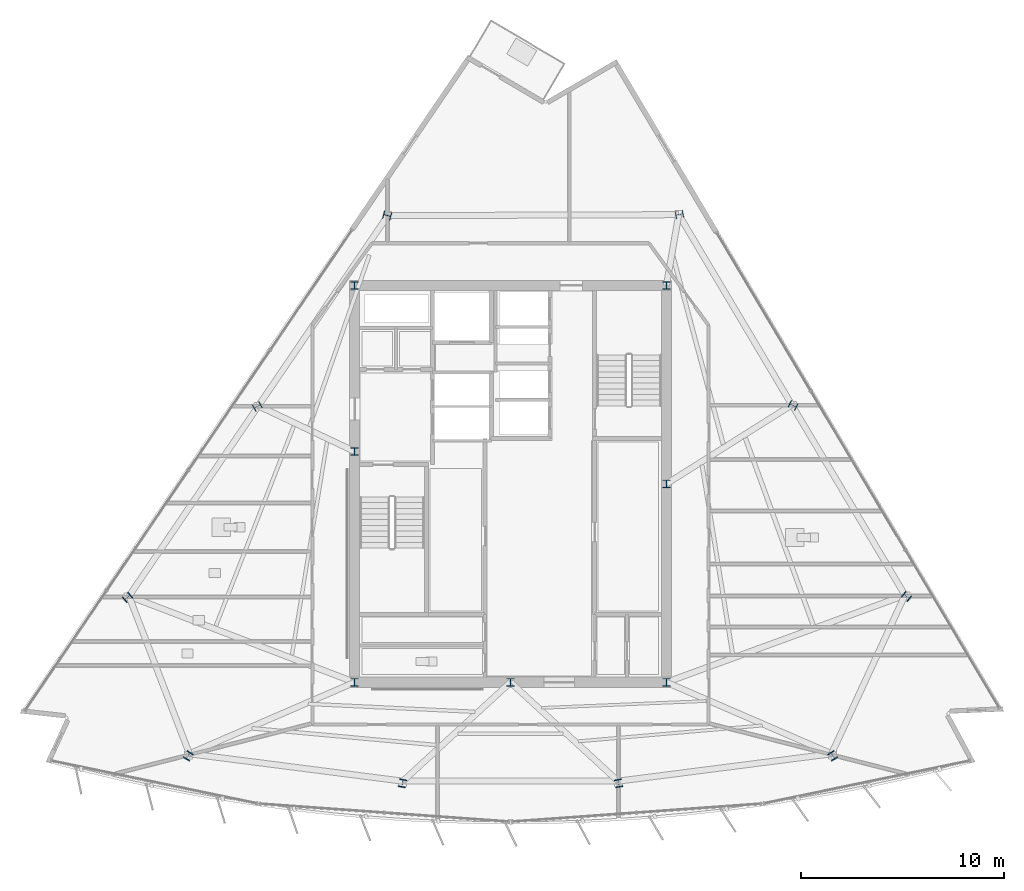
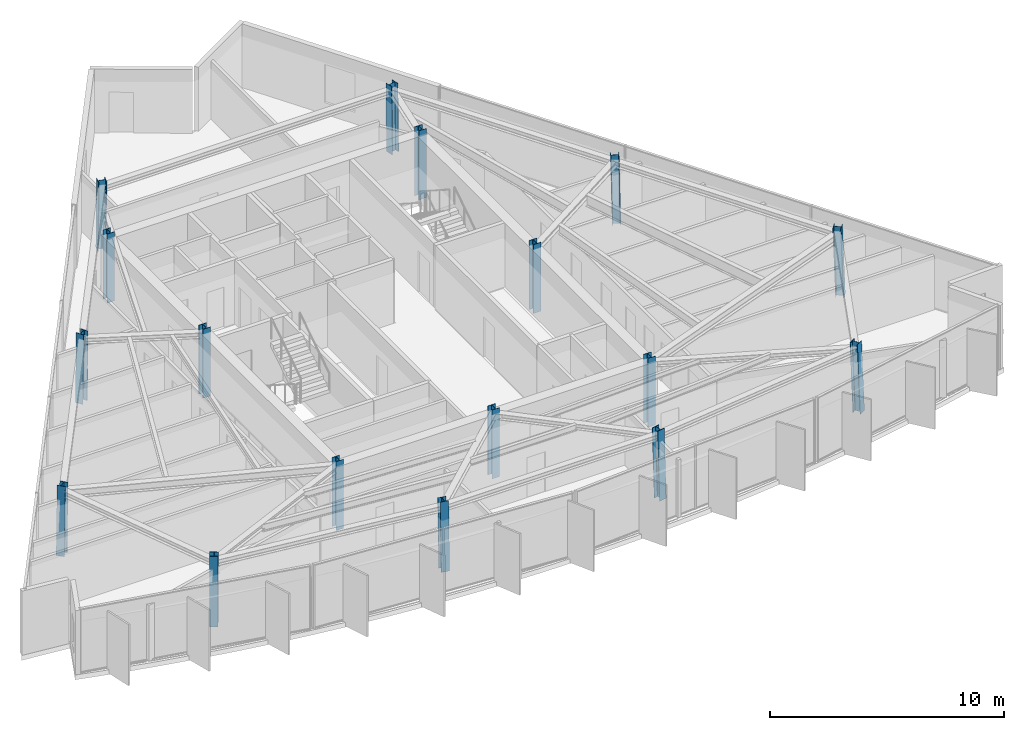
# One storey, part 1 of 13: 17 columns.
"""IFC4 building model written with IfcOpenShell, lengths in metres."""

from ifc_helpers import new_model, si_unit, direction, frame, origin, origin_2d, place, context, subcontext, project, spatial, i_section, extrude, material, material_profile, profile_set, type_object, element, save


model = new_model("IFC4")

# Units and contexts
model_context = context("Model", 3, precision=1e-05, world=origin(), true_north=direction((0.0, 1.0)))
body_context = subcontext(model_context, "Body", "Model", "MODEL_VIEW")
ifc_project = project(units=[si_unit("LENGTHUNIT", "METRE"), si_unit("AREAUNIT", "SQUARE_METRE"), si_unit("VOLUMEUNIT", "CUBIC_METRE"), si_unit("PLANEANGLEUNIT", "RADIAN"), si_unit("MASSUNIT", "GRAM", prefix="KILO")], contexts=[model_context])

# Site, building, storey
site_placement = place(None, origin())
site = spatial("IfcSite", under=ifc_project, at=site_placement, CompositionType="ELEMENT")
building_placement = place(site_placement, origin())
building = spatial("IfcBuilding", under=site, at=building_placement, Name="Savorim Split Tower", CompositionType="ELEMENT")
storey_placement = place(building_placement, frame((0.0, 0.0, 250.800048828125)))
storey = spatial("IfcBuildingStorey", under=building, at=storey_placement, Name="L66", CompositionType="ELEMENT", Elevation=250.800048828125)

# Columns
ifc_material = material(Name="Steel S355", Category="steel")
ifc_material_profile = material_profile(ifc_material, i_section(OverallWidth=0.3740234375, OverallDepth=0.3720703125, WebThickness=0.01220703125, FlangeThickness=0.02001953125, FilletRadius=0.014892578125, at=origin_2d()), Name="HD 360x196")
ifc_profile_set = profile_set([ifc_material_profile], Name="Steel S355")
column_type = type_object("IfcColumnType", Name="COL-HD-196", PredefinedType="COLUMN", material=ifc_profile_set)
for number, where, z_axis, x_axis, name in (
    (1, (-7.699951171875, -9.39990234375, 0.0), (0.0, 0.0, 1.0), (1.0, 0.0, 0.0), "L66 Core Structural Column TC-C1"),
    (2, (7.699951171875, -9.39990234375, 0.0), (0.0, 0.0, 1.0), (1.0, 0.0, 0.0), "L66 Core Structural Column TC-C2"),
    (3, (7.699951171875, 10.199951171875, 0.0), (0.0, 0.0, 1.0), (1.0, 0.0, 0.0), "L66 Core Structural Column TC-C3"),
    (4, (-7.699951171875, 10.199951171875, 0.0), (0.0, 0.0, 1.0), (1.0, 0.0, 0.0), "L66 Core Structural Column TC-C4"),
    (5, (0.0, -9.39990234375, 0.0), (0.0, 0.0, 1.0), (1.0, 0.0, 0.0), "L66 Core Structural Column TC-C5"),
    (6, (7.699951171875, 0.39990234375, 0.0), (0.0, 0.0, 1.0), (1.0, 0.0, 0.0), "L66 Core Structural Column TC-C6"),
    (7, (-7.699951171875, 2.0, 0.0), (0.0, 0.0, 1.0), (1.0, 0.0, 0.0), "L66 Core Structural Column TC-C7"),
):
    element("IfcColumn", number, at=place(storey_placement, frame(where, z_axis=z_axis, x_axis=x_axis)), inside=storey, type_object=column_type, Name=name, PredefinedType="COLUMN", context=body_context, shape_type="SweptSolid", body=[
        extrude(i_section(OverallWidth=0.3740234375, OverallDepth=0.3720703125, WebThickness=0.01220703125, FlangeThickness=0.02001953125, FilletRadius=0.014892578125, at=origin_2d()), origin(), (0.0, 0.0, 1.0), 3.599853515625),
    ])
column_1_placement = place(storey_placement, frame((-15.927490234375, -13.048828125, 0.00537109375), z_axis=(0.020594893987, 0.033509183946, 0.999226193078), x_axis=(-0.851954850327, 0.523615252838, 0.0)))
element("IfcColumn", 8, at=column_1_placement, inside=storey, type_object=column_type, Name="L66 Tapered Perimeter Column PC-S1", PredefinedType="COLUMN", context=body_context, shape_type="SweptSolid", body=[
    extrude(i_section(OverallWidth=0.3740234375, OverallDepth=0.3720703125, WebThickness=0.01220703125, FlangeThickness=0.02001953125, FilletRadius=0.014892578125, at=origin_2d()), origin(), (0.0, 0.0, 1.0), 3.591796875),
])
for number, where, z_axis, x_axis, name in (
    (9, (-5.338134765625, -14.408447265625, 0.00537109375), (0.006865841702, 0.035280909339, 0.999353850072), (-0.981585848295, 0.191021523464, 0.0), "L66 Tapered Perimeter Column PC-S2"),
    (10, (5.338134765625, -14.408447265625, 0.00537109375), (-0.006865841702, 0.035280909339, 0.999353850072), (-0.981585848295, -0.191021523464, 0.0), "L66 Tapered Perimeter Column PC-S3"),
):
    element("IfcColumn", number, at=place(storey_placement, frame(where, z_axis=z_axis, x_axis=x_axis)), inside=storey, type_object=column_type, Name=name, PredefinedType="COLUMN", context=body_context, shape_type="SweptSolid", body=[
        extrude(i_section(OverallWidth=0.3740234375, OverallDepth=0.3720703125, WebThickness=0.01220703125, FlangeThickness=0.02001953125, FilletRadius=0.014892578125, at=origin_2d()), origin(), (0.0, 0.0, 1.0), 3.591552734375),
    ])
column_2_placement = place(storey_placement, frame((15.927490234375, -13.048828125, 0.00537109375), z_axis=(-0.020594893987, 0.033509183946, 0.999226193078), x_axis=(-0.851954850327, -0.523615252838, 0.0)))
element("IfcColumn", 11, at=column_2_placement, inside=storey, type_object=column_type, Name="L66 Tapered Perimeter Column PC-S4", PredefinedType="COLUMN", context=body_context, shape_type="SweptSolid", body=[
    extrude(i_section(OverallWidth=0.3740234375, OverallDepth=0.3720703125, WebThickness=0.01220703125, FlangeThickness=0.02001953125, FilletRadius=0.014892578125, at=origin_2d()), origin(), (0.0, 0.0, 1.0), 3.591796875),
])
column_3_placement = place(storey_placement, frame((19.57275390625, -5.173583984375, 0.00537109375), z_axis=(-0.026105663043, 0.021618752208, 0.999425396871), x_axis=(-0.637813971185, -0.770190455771, 0.0)))
element("IfcColumn", 12, at=column_3_placement, inside=storey, type_object=column_type, Name="L66 Tapered Perimeter Column PC-E1", PredefinedType="COLUMN", context=body_context, shape_type="SweptSolid", body=[
    extrude(i_section(OverallWidth=0.3740234375, OverallDepth=0.3720703125, WebThickness=0.01220703125, FlangeThickness=0.02001953125, FilletRadius=0.014892578125, at=origin_2d()), origin(), (0.0, 0.0, 1.0), 3.591064453125),
])
column_4_placement = place(storey_placement, frame((13.961181640625, 4.263671875, 0.00537109375), z_axis=(-0.018906028715, 0.009589028952, 0.999775281052), x_axis=(-0.452339157861, -0.891845999187, 0.0)))
element("IfcColumn", 13, at=column_4_placement, inside=storey, type_object=column_type, Name="L66 Tapered Perimeter Column PC-E2", PredefinedType="COLUMN", context=body_context, shape_type="SweptSolid", body=[
    extrude(i_section(OverallWidth=0.3740234375, OverallDepth=0.3720703125, WebThickness=0.01220703125, FlangeThickness=0.02001953125, FilletRadius=0.014892578125, at=origin_2d()), origin(), (0.0, 0.0, 1.0), 3.58984375),
])
for number, where, z_axis, x_axis, name in (
    (14, (8.349609375, 13.700927734375, 0.00537109375), (-0.011699046613, -0.002516655376, 0.999928396814), (0.210305364179, -0.977635746993, 0.0), "L66 Tapered Perimeter Column PC-E3"),
    (15, (-6.09033203125, 13.652099609375, 0.00537109375), (0.008842562123, -0.00251672922, 0.999957736691), (0.273743828055, 0.961802639112, 0.0), "L66 Tapered Perimeter Column PC-W1"),
):
    element("IfcColumn", number, at=place(storey_placement, frame(where, z_axis=z_axis, x_axis=x_axis)), inside=storey, type_object=column_type, Name=name, PredefinedType="COLUMN", context=body_context, shape_type="SweptSolid", body=[
        extrude(i_section(OverallWidth=0.3740234375, OverallDepth=0.3720703125, WebThickness=0.01220703125, FlangeThickness=0.02001953125, FilletRadius=0.014892578125, at=origin_2d()), origin(), (0.0, 0.0, 1.0), 3.58935546875),
    ])
column_5_placement = place(storey_placement, frame((-12.51025390625, 4.21484375, 0.00537109375), z_axis=(0.01700241672, 0.009521353363, 0.999810112799), x_axis=(-0.488603368932, 0.87250601595, 0.0)))
element("IfcColumn", 16, at=column_5_placement, inside=storey, type_object=column_type, Name="L66 Tapered Perimeter Column PC-W2", PredefinedType="COLUMN", context=body_context, shape_type="SweptSolid", body=[
    extrude(i_section(OverallWidth=0.3740234375, OverallDepth=0.3720703125, WebThickness=0.01220703125, FlangeThickness=0.02001953125, FilletRadius=0.014892578125, at=origin_2d()), origin(), (0.0, 0.0, 1.0), 3.58984375),
])
column_6_placement = place(storey_placement, frame((-18.93017578125, -5.222412109375, 0.00537109375), z_axis=(0.025222449659, 0.021619242565, 0.999448065876), x_axis=(-0.650791373456, 0.759256602365, 0.0)))
element("IfcColumn", 17, at=column_6_placement, inside=storey, type_object=column_type, Name="L66 Tapered Perimeter Column PC-W3", PredefinedType="COLUMN", context=body_context, shape_type="SweptSolid", body=[
    extrude(i_section(OverallWidth=0.3740234375, OverallDepth=0.3720703125, WebThickness=0.01220703125, FlangeThickness=0.02001953125, FilletRadius=0.014892578125, at=origin_2d()), origin(), (0.0, 0.0, 1.0), 3.591064453125),
])

save(model, "model.ifc")
